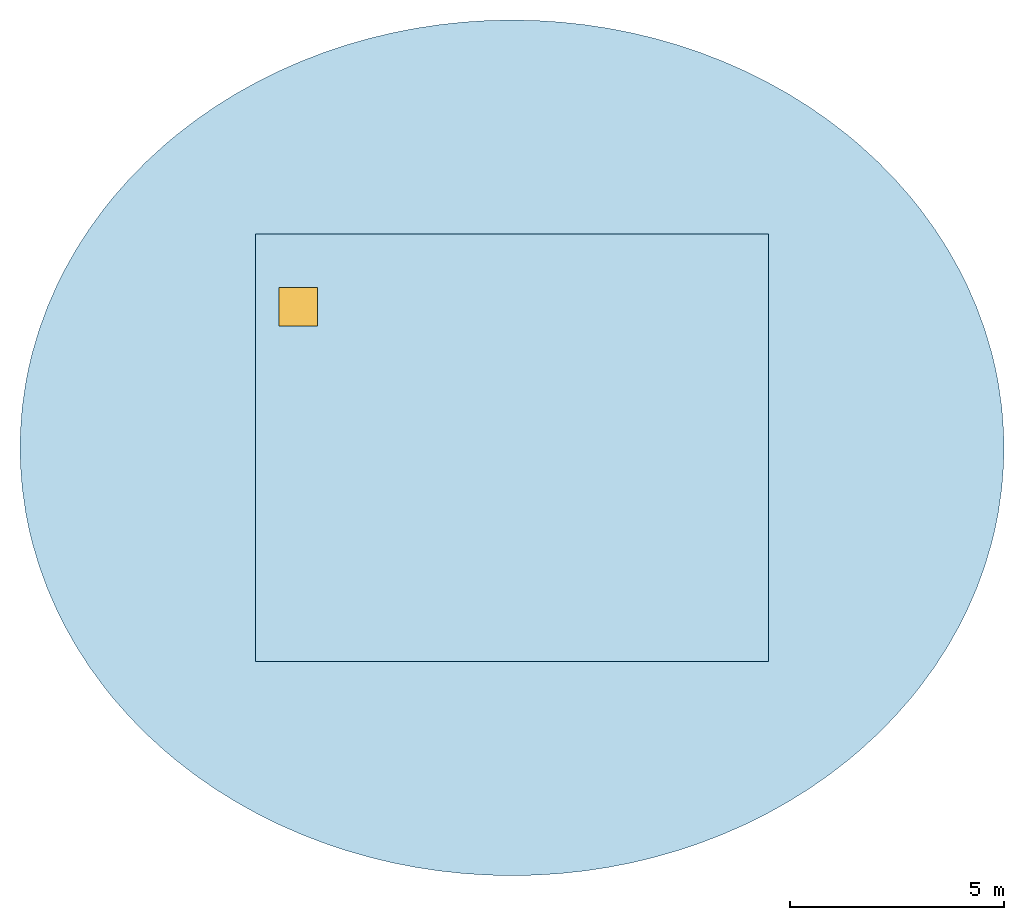
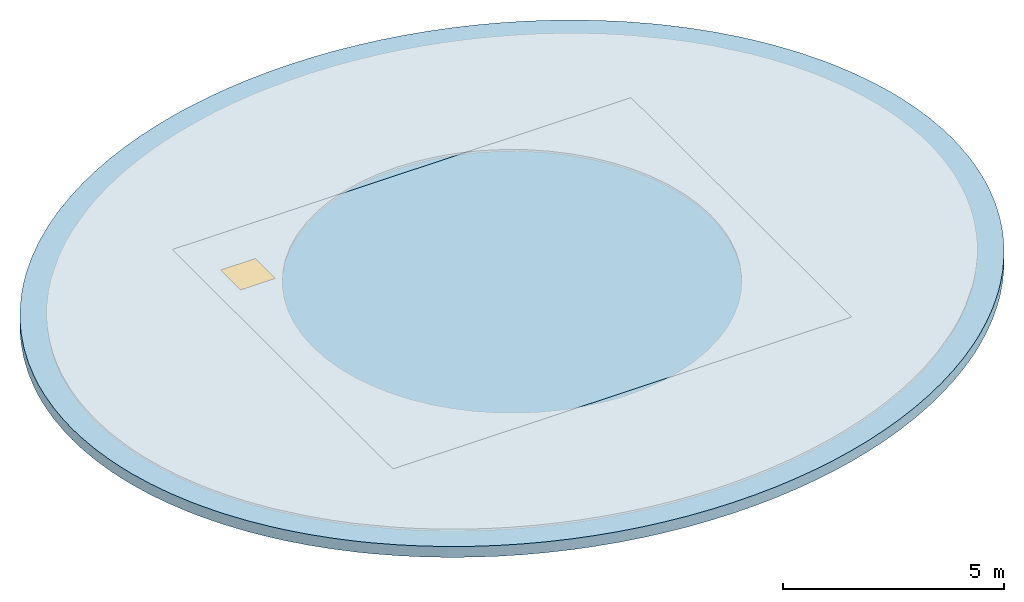
# One storey, part 1 of 2: 2 slabs, 1 window, 1 opening.
"""IFC4 building model written with IfcOpenShell, lengths in metres."""

from ifc_helpers import new_model, si_unit, direction, frame, origin, origin_2d, place, context, subcontext, project, spatial, line, indexed_curve, rectangle, outline, extrude, material, layer, layer_set, type_object, element, fill, save


model = new_model("IFC4")

# Units and contexts
model_context = context("Model", 3, precision=1e-05, world=origin(), true_north=direction((0.0, 1.0)))
body_context = subcontext(model_context, "Body", "Model", "MODEL_VIEW")
ifc_project = project(units=[si_unit("LENGTHUNIT", "METRE"), si_unit("AREAUNIT", "SQUARE_METRE"), si_unit("VOLUMEUNIT", "CUBIC_METRE"), si_unit("PLANEANGLEUNIT", "RADIAN"), si_unit("MASSUNIT", "GRAM", prefix="KILO")], contexts=[model_context])

# Site, building, storey
site_placement = place(None, origin())
site = spatial("IfcSite", under=ifc_project, at=site_placement, CompositionType="ELEMENT")
building_placement = place(site_placement, origin())
building = spatial("IfcBuilding", under=site, at=building_placement, Name="Spindrift Exchange Tower", CompositionType="ELEMENT")
storey_placement = place(building_placement, frame((0.0, 0.0, 290.60009765625)))
storey = spatial("IfcBuildingStorey", under=building, at=storey_placement, Name="ROOF", CompositionType="ELEMENT", Elevation=290.60009765625)

# Slab, opening, window
ifc_material_1 = material(Name="Concrete 50 MPa", Category="concrete")
ifc_layer_1 = layer(ifc_material_1, 1.0)
ifc_layer_set_1 = layer_set([ifc_layer_1], Name="RC Core Roof Slab 1000 Concrete 50 MPa")
slab_type_1 = type_object("IfcSlabType", Name="RC Core Roof Slab 1000 Concrete 50 MPa", PredefinedType="ROOF", material=ifc_layer_set_1)
slab_1_placement = place(storey_placement, frame((0.0, 0.0, -1.0)))
slab_1 = element("IfcSlab", 1, at=slab_1_placement, inside=storey, type_object=slab_type_1, Name="Core roof slab L71", PredefinedType="ROOF", context=body_context, shape_type="SweptSolid", body=[
    extrude(outline(indexed_curve([(46.0, 43.0), (58.0, 43.0), (58.0, 53.0), (46.0, 53.0)], segments=[line(1, 2, 3, 4, 1)], self_intersect=False)), origin(), (0.0, 0.0, 1.0), 1.0),
])
opening_placement = place(slab_1_placement, frame((47.0, 51.300048828125, -0.010009765625)))
opening = element("IfcOpeningElement", 2, at=opening_placement, cuts=slab_1, Name="Opening RH1", PredefinedType="OPENING", context=body_context, shape_type="SweptSolid", body=[
    extrude(rectangle(XDim=0.89990234375, YDim=0.89990234375, at=origin_2d()), origin(), (0.0, 0.0, 1.0), 1.02001953125),
])
ifc_material_2 = material(Name="Galvanised steel hatch cover, insulated", Category="steel")
window_type = type_object("IfcWindowType", Name="ROOF ACCESS HATCH 900X900", PartitioningType="SINGLE_PANEL", PredefinedType="SKYLIGHT", material=ifc_material_2)
window_placement = place(opening_placement, frame((0.0, 0.0, 0.9599609375)))
window = element("IfcWindow", 3, at=window_placement, inside=storey, type_object=window_type, Name="ROOF ACCESS HATCH RH1", OverallHeight=0.89990234375, OverallWidth=0.89990234375, PartitioningType="SINGLE_PANEL", PredefinedType="SKYLIGHT", context=body_context, shape_type="SweptSolid", body=[
    extrude(rectangle(XDim=0.89990234375, YDim=0.89990234375, at=origin_2d()), origin(), (0.0, 0.0, 1.0), 0.050048828125),
])
fill(opening, window)

# Slab
ifc_material_3 = material(Name="Concrete 40 MPa", Category="concrete")
ifc_layer_2 = layer(ifc_material_3, 0.300048828125)
ifc_layer_set_2 = layer_set([ifc_layer_2], Name="RC Roof Slab 300 Concrete 40 MPa")
slab_type_2 = type_object("IfcSlabType", Name="RC Roof Slab 300 Concrete 40 MPa", PredefinedType="ROOF", material=ifc_layer_set_2)
slab_2_placement = place(storey_placement, frame((0.0, 0.0, -0.300048828125)))
element("IfcSlab", 4, at=slab_2_placement, inside=storey, type_object=slab_type_2, Name="Roof slab L71", PredefinedType="ROOF", context=body_context, shape_type="SweptSolid", body=[
    extrude(outline(indexed_curve([(63.5, 48.0), (63.491943359375, 48.37548828125), (63.449462890625, 48.9375), (63.37060546875, 49.495361328125), (63.29833984375, 49.864013671875), (63.210693359375, 50.229248046875), (63.05029296875, 50.769287109375), (62.8564453125, 51.298583984375), (62.63037109375, 51.814697265625), (62.46240234375, 52.15087890625), (62.18603515625, 52.641845703125), (61.88134765625, 53.11572265625), (61.5498046875, 53.5712890625), (61.314697265625, 53.864501953125), (60.9423828125, 54.28759765625), (60.5478515625, 54.689697265625), (60.132568359375, 55.0703125), (59.8447265625, 55.31201171875), (59.3984375, 55.65576171875), (58.935302734375, 55.976806640625), (58.45703125, 56.27490234375), (57.965087890625, 56.549560546875), (57.460693359375, 56.80078125), (56.945068359375, 57.0283203125), (56.419677734375, 57.23193359375), (55.885498046875, 57.411865234375), (55.343994140625, 57.56787109375), (54.79638671875, 57.699951171875), (54.243408203125, 57.807861328125), (53.68603515625, 57.891845703125), (53.125732421875, 57.951904296875), (52.5634765625, 57.988037109375), (52.0, 58.0), (51.4365234375, 57.988037109375), (50.874267578125, 57.951904296875), (50.31396484375, 57.891845703125), (49.756591796875, 57.807861328125), (49.20361328125, 57.699951171875), (48.656005859375, 57.56787109375), (48.114501953125, 57.411865234375), (47.580322265625, 57.23193359375), (47.054931640625, 57.0283203125), (46.539306640625, 56.80078125), (46.034912109375, 56.549560546875), (45.54296875, 56.27490234375), (45.064697265625, 55.976806640625), (44.6015625, 55.65576171875), (44.1552734375, 55.31201171875), (43.867431640625, 55.0703125), (43.4521484375, 54.689697265625), (43.0576171875, 54.28759765625), (42.685302734375, 53.864501953125), (42.4501953125, 53.5712890625), (42.11865234375, 53.11572265625), (41.81396484375, 52.641845703125), (41.53759765625, 52.15087890625), (41.36962890625, 51.814697265625), (41.1435546875, 51.298583984375), (40.94970703125, 50.769287109375), (40.789306640625, 50.229248046875), (40.70166015625, 49.864013671875), (40.62939453125, 49.495361328125), (40.550537109375, 48.9375), (40.508056640625, 48.37548828125), (40.5, 48.0), (40.508056640625, 47.62451171875), (40.550537109375, 47.0625), (40.62939453125, 46.504638671875), (40.70166015625, 46.135986328125), (40.789306640625, 45.770751953125), (40.94970703125, 45.230712890625), (41.1435546875, 44.701416015625), (41.36962890625, 44.185302734375), (41.53759765625, 43.84912109375), (41.81396484375, 43.358154296875), (42.11865234375, 42.88427734375), (42.4501953125, 42.4287109375), (42.685302734375, 42.135498046875), (43.0576171875, 41.71240234375), (43.4521484375, 41.310302734375), (43.867431640625, 40.9296875), (44.1552734375, 40.68798828125), (44.6015625, 40.34423828125), (45.064697265625, 40.023193359375), (45.54296875, 39.72509765625), (46.034912109375, 39.450439453125), (46.539306640625, 39.19921875), (47.054931640625, 38.9716796875), (47.580322265625, 38.76806640625), (48.114501953125, 38.588134765625), (48.656005859375, 38.43212890625), (49.20361328125, 38.300048828125), (49.756591796875, 38.192138671875), (50.31396484375, 38.108154296875), (50.874267578125, 38.048095703125), (51.4365234375, 38.011962890625), (52.0, 38.0), (52.5634765625, 38.011962890625), (53.125732421875, 38.048095703125), (53.68603515625, 38.108154296875), (54.243408203125, 38.192138671875), (54.79638671875, 38.300048828125), (55.343994140625, 38.43212890625), (55.885498046875, 38.588134765625), (56.419677734375, 38.76806640625), (56.945068359375, 38.9716796875), (57.460693359375, 39.19921875), (57.965087890625, 39.450439453125), (58.45703125, 39.72509765625), (58.935302734375, 40.023193359375), (59.3984375, 40.34423828125), (59.8447265625, 40.68798828125), (60.132568359375, 40.9296875), (60.5478515625, 41.310302734375), (60.9423828125, 41.71240234375), (61.314697265625, 42.135498046875), (61.5498046875, 42.4287109375), (61.88134765625, 42.88427734375), (62.18603515625, 43.358154296875), (62.46240234375, 43.84912109375), (62.63037109375, 44.185302734375), (62.8564453125, 44.701416015625), (63.05029296875, 45.230712890625), (63.210693359375, 45.770751953125), (63.29833984375, 46.135986328125), (63.37060546875, 46.504638671875), (63.449462890625, 47.0625), (63.491943359375, 47.62451171875)], segments=[line(1, 2, 3, 4, 5, 6, 7, 8, 9, 10, 11, 12, 13, 14, 15, 16, 17, 18, 19, 20, 21, 22, 23, 24, 25, 26, 27, 28, 29, 30, 31, 32, 33, 34, 35, 36, 37, 38, 39, 40, 41, 42, 43, 44, 45, 46, 47, 48, 49, 50, 51, 52, 53, 54, 55, 56, 57, 58, 59, 60, 61, 62, 63, 64, 65, 66, 67, 68, 69, 70, 71, 72, 73, 74, 75, 76, 77, 78, 79, 80, 81, 82, 83, 84, 85, 86, 87, 88, 89, 90, 91, 92, 93, 94, 95, 96, 97, 98, 99, 100, 101, 102, 103, 104, 105, 106, 107, 108, 109, 110, 111, 112, 113, 114, 115, 116, 117, 118, 119, 120, 121, 122, 123, 124, 125, 126, 127, 128, 1)], self_intersect=False), holes=[indexed_curve([(46.0, 43.0), (58.0, 43.0), (58.0, 53.0), (46.0, 53.0)], segments=[line(1, 2, 3, 4, 1)], self_intersect=False)]), origin(), (0.0, 0.0, 1.0), 0.300048828125),
])

save(model, "model.ifc")
